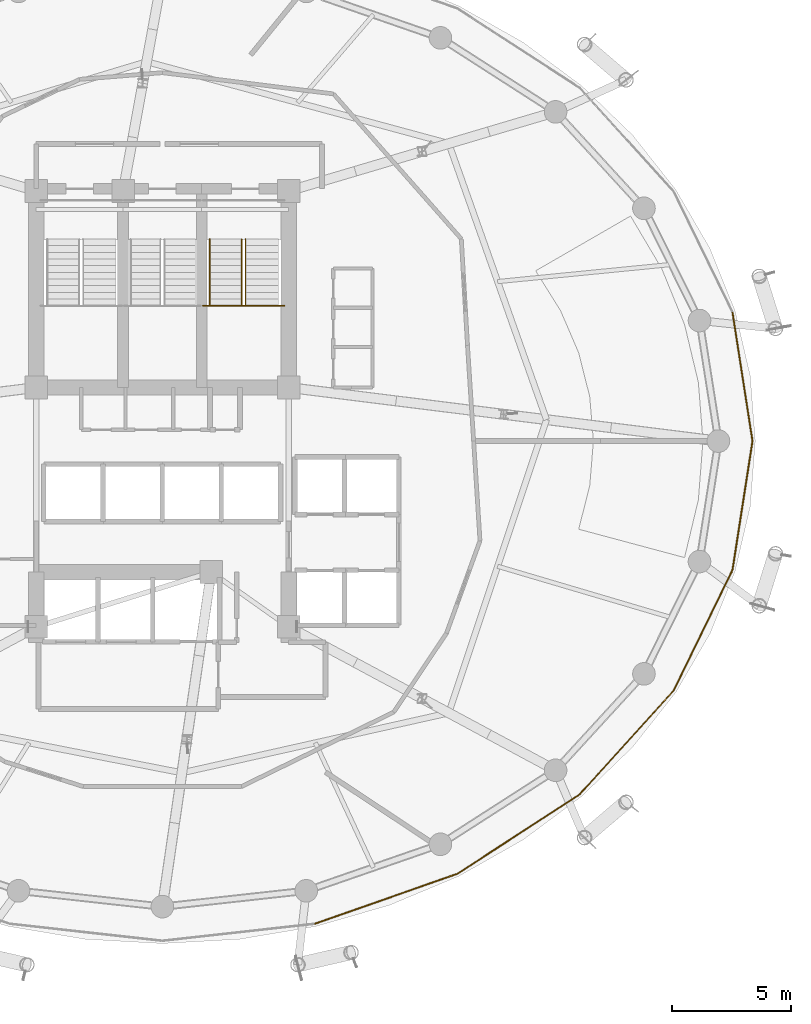
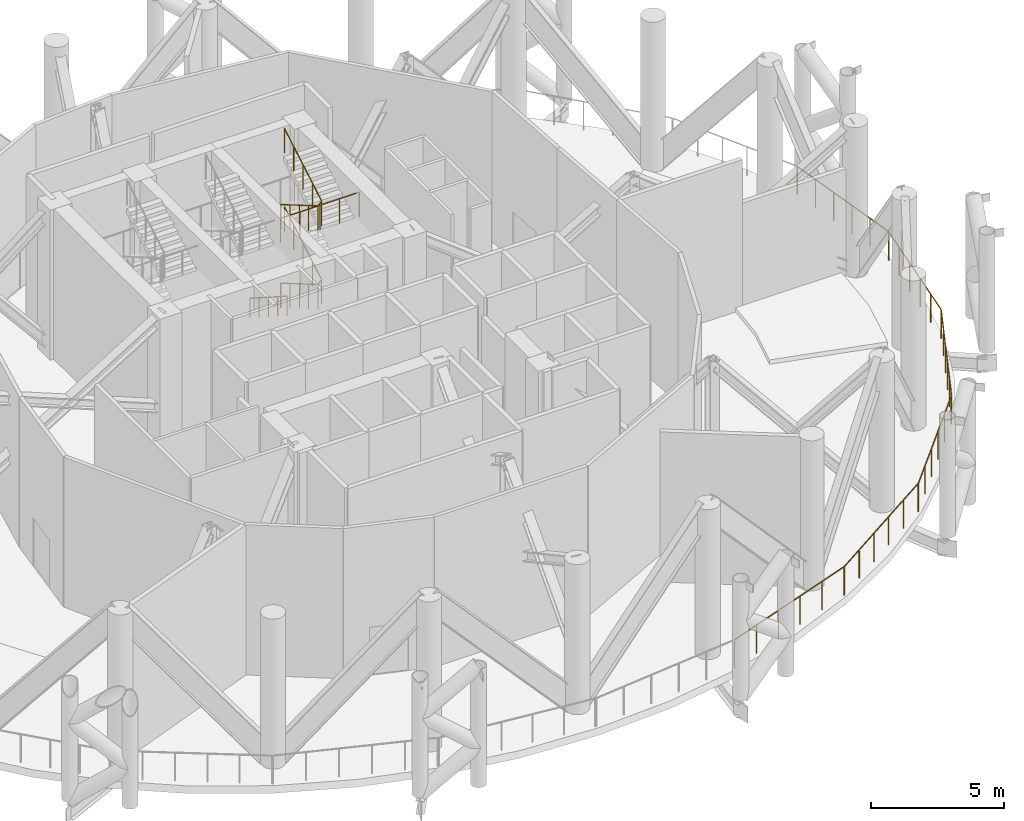
# One storey, part 16 of 18: 10 railings.
"""IFC4 building model written with IfcOpenShell, lengths in metres."""

from ifc_helpers import new_model, si_unit, direction, frame, origin, place, context, subcontext, project, spatial, polyline, outline, extrude, material, type_object, element, save


model = new_model("IFC4")

# Units and contexts
model_context = context("Model", 3, precision=1e-05, world=origin(), true_north=direction((0.0, 1.0)))
body_context = subcontext(model_context, "Body", "Model", "MODEL_VIEW")
ifc_project = project(units=[si_unit("LENGTHUNIT", "METRE"), si_unit("AREAUNIT", "SQUARE_METRE"), si_unit("VOLUMEUNIT", "CUBIC_METRE"), si_unit("PLANEANGLEUNIT", "RADIAN"), si_unit("MASSUNIT", "GRAM", prefix="KILO")], contexts=[model_context])

# Site, building, storey
site_placement = place(None, origin())
site = spatial("IfcSite", under=ifc_project, at=site_placement, CompositionType="ELEMENT")
building_placement = place(site_placement, origin())
building = spatial("IfcBuilding", under=site, at=building_placement, Name="Nuhasar Tower", CompositionType="ELEMENT")
storey_placement = place(building_placement, frame((0.0, 0.0, 195.949951171875)))
storey = spatial("IfcBuildingStorey", under=building, at=storey_placement, Name="L48", CompositionType="ELEMENT", Elevation=195.949951171875)

# Railings
ifc_material_1 = material(Name="Steel S355", Category="steel")
railing_type_1 = type_object("IfcRailingType", Name="RLG-STAIR-GUARD-1150", PredefinedType="GUARDRAIL", material=ifc_material_1)
railing_1_placement = place(storey_placement, frame((42.330078125, 35.284912109375, 0.1640625)))
element("IfcRailing", 1, at=railing_1_placement, inside=storey, type_object=railing_type_1, Name="L48 Stair ST-02 Guardrail SLT1", PredefinedType="GUARDRAIL", context=body_context, shape_type="SweptSolid", body=[
    extrude(outline(polyline([(0.024169921875, 0.0), (0.01708984375, 0.01708984375), (0.0, 0.024169921875), (-0.01708984375, 0.01708984375), (-0.024169921875, 0.0), (-0.01708984375, -0.01708984375), (0.0, -0.024169921875), (0.01708984375, -0.01708984375), (0.024169921875, 0.0)])), frame((0.0, 0.0, 1.1259765625), z_axis=(0.0, -0.863407295559, 0.504507524201), x_axis=(1.0, 0.0, 0.0)), (0.0, 0.0, 1.0), 3.24267578125),
    extrude(outline(polyline([(0.024169921875, 0.0), (0.01708984375, 0.01708984375), (0.0, 0.024169921875), (-0.01708984375, 0.01708984375), (-0.024169921875, 0.0), (-0.01708984375, -0.01708984375), (0.0, -0.024169921875), (0.01708984375, -0.01708984375), (0.024169921875, 0.0)])), frame((0.0, -2.7998046875, 2.76171875), z_axis=(0.697990867133, 0.0, 0.716106660631), x_axis=(0.0, 1.0, 0.0)), (0.0, 0.0, 1.0), 0.22900390625),
    extrude(outline(polyline([(0.024169921875, 0.0), (0.01708984375, 0.01708984375), (0.0, 0.024169921875), (-0.01708984375, 0.01708984375), (-0.024169921875, 0.0), (-0.01708984375, -0.01708984375), (0.0, -0.024169921875), (0.01708984375, -0.01708984375), (0.024169921875, 0.0)])), frame((0.159912109375, -2.7998046875, 2.92578125), z_axis=(0.0, 0.863407295559, 0.504507524201), x_axis=(-1.0, 0.0, 0.0)), (0.0, 0.0, 1.0), 3.24267578125),
    extrude(outline(polyline([(0.02099609375, 0.0), (0.014892578125, 0.014892578125), (0.0, 0.02099609375), (-0.014892578125, 0.014892578125), (-0.02099609375, 0.0), (-0.014892578125, -0.014892578125), (0.0, -0.02099609375), (0.014892578125, -0.014892578125), (0.02099609375, 0.0)])), origin(), (0.0, 0.0, 1.0), 1.101806640625),
    extrude(outline(polyline([(0.02099609375, 0.0), (0.014892578125, 0.014892578125), (0.0, 0.02099609375), (-0.014892578125, 0.014892578125), (-0.02099609375, 0.0), (-0.014892578125, -0.014892578125), (0.0, -0.02099609375), (0.014892578125, -0.014892578125), (0.02099609375, 0.0)])), frame((0.0, -0.699951171875, 0.408935546875)), (0.0, 0.0, 1.0), 1.101806640625),
    extrude(outline(polyline([(0.02099609375, 0.0), (0.014892578125, 0.014892578125), (0.0, 0.02099609375), (-0.014892578125, 0.014892578125), (-0.02099609375, 0.0), (-0.014892578125, -0.014892578125), (0.0, -0.02099609375), (0.014892578125, -0.014892578125), (0.02099609375, 0.0)])), frame((0.0, -1.39990234375, 0.81787109375)), (0.0, 0.0, 1.0), 1.101806640625),
    extrude(outline(polyline([(0.02099609375, 0.0), (0.014892578125, 0.014892578125), (0.0, 0.02099609375), (-0.014892578125, 0.014892578125), (-0.02099609375, 0.0), (-0.014892578125, -0.014892578125), (0.0, -0.02099609375), (0.014892578125, -0.014892578125), (0.02099609375, 0.0)])), frame((0.0, -2.099853515625, 1.22705078125)), (0.0, 0.0, 1.0), 1.101806640625),
    extrude(outline(polyline([(0.02099609375, 0.0), (0.014892578125, 0.014892578125), (0.0, 0.02099609375), (-0.014892578125, 0.014892578125), (-0.02099609375, 0.0), (-0.014892578125, -0.014892578125), (0.0, -0.02099609375), (0.014892578125, -0.014892578125), (0.02099609375, 0.0)])), frame((0.0, -2.7998046875, 1.635986328125)), (0.0, 0.0, 1.0), 1.101806640625),
    extrude(outline(polyline([(0.02099609375, 0.0), (0.014892578125, 0.014892578125), (0.0, 0.02099609375), (-0.014892578125, 0.014892578125), (-0.02099609375, 0.0), (-0.014892578125, -0.014892578125), (0.0, -0.02099609375), (0.014892578125, -0.014892578125), (0.02099609375, 0.0)])), frame((0.159912109375, -2.7998046875, 1.800048828125)), (0.0, 0.0, 1.0), 1.101806640625),
    extrude(outline(polyline([(0.02099609375, 0.0), (0.014892578125, 0.014892578125), (0.0, 0.02099609375), (-0.014892578125, 0.014892578125), (-0.02099609375, 0.0), (-0.014892578125, -0.014892578125), (0.0, -0.02099609375), (0.014892578125, -0.014892578125), (0.02099609375, 0.0)])), frame((0.159912109375, -2.099853515625, 2.208984375)), (0.0, 0.0, 1.0), 1.101806640625),
    extrude(outline(polyline([(0.02099609375, 0.0), (0.014892578125, 0.014892578125), (0.0, 0.02099609375), (-0.014892578125, 0.014892578125), (-0.02099609375, 0.0), (-0.014892578125, -0.014892578125), (0.0, -0.02099609375), (0.014892578125, -0.014892578125), (0.02099609375, 0.0)])), frame((0.159912109375, -1.39990234375, 2.6181640625)), (0.0, 0.0, 1.0), 1.101806640625),
    extrude(outline(polyline([(0.02099609375, 0.0), (0.014892578125, 0.014892578125), (0.0, 0.02099609375), (-0.014892578125, 0.014892578125), (-0.02099609375, 0.0), (-0.014892578125, -0.014892578125), (0.0, -0.02099609375), (0.014892578125, -0.014892578125), (0.02099609375, 0.0)])), frame((0.159912109375, -0.699951171875, 3.027099609375)), (0.0, 0.0, 1.0), 1.101806640625),
    extrude(outline(polyline([(0.02099609375, 0.0), (0.014892578125, 0.014892578125), (0.0, 0.02099609375), (-0.014892578125, 0.014892578125), (-0.02099609375, 0.0), (-0.014892578125, -0.014892578125), (0.0, -0.02099609375), (0.014892578125, -0.014892578125), (0.02099609375, 0.0)])), frame((0.159912109375, 0.0, 3.43603515625)), (0.0, 0.0, 1.0), 1.101806640625),
])
railing_2_placement = place(storey_placement, frame((40.699951171875, 32.485107421875, 5.400146484375)))
element("IfcRailing", 2, at=railing_2_placement, inside=storey, type_object=railing_type_1, Name="L48 Stair ST-02 Guardrail LNDS2", PredefinedType="GUARDRAIL", context=body_context, shape_type="SweptSolid", body=[
    extrude(outline(polyline([(0.024169921875, 0.0), (0.01708984375, 0.01708984375), (0.0, 0.024169921875), (-0.01708984375, 0.01708984375), (-0.024169921875, 0.0), (-0.01708984375, -0.01708984375), (0.0, -0.024169921875), (0.01708984375, -0.01708984375), (0.024169921875, 0.0)])), frame((0.0, 0.0, 1.1259765625), z_axis=(1.0, 0.0, 0.0), x_axis=(0.0, 1.0, 0.0)), (0.0, 0.0, 1.0), 3.420166015625),
    extrude(outline(polyline([(0.02099609375, 0.0), (0.014892578125, 0.014892578125), (0.0, 0.02099609375), (-0.014892578125, 0.014892578125), (-0.02099609375, 0.0), (-0.014892578125, -0.014892578125), (0.0, -0.02099609375), (0.014892578125, -0.014892578125), (0.02099609375, 0.0)])), origin(), (0.0, 0.0, 1.0), 1.101806640625),
    extrude(outline(polyline([(0.02099609375, 0.0), (0.014892578125, 0.014892578125), (0.0, 0.02099609375), (-0.014892578125, 0.014892578125), (-0.02099609375, 0.0), (-0.014892578125, -0.014892578125), (0.0, -0.02099609375), (0.014892578125, -0.014892578125), (0.02099609375, 0.0)])), frame((0.85498046875, 0.0, 0.0)), (0.0, 0.0, 1.0), 1.101806640625),
    extrude(outline(polyline([(0.02099609375, 0.0), (0.014892578125, 0.014892578125), (0.0, 0.02099609375), (-0.014892578125, 0.014892578125), (-0.02099609375, 0.0), (-0.014892578125, -0.014892578125), (0.0, -0.02099609375), (0.014892578125, -0.014892578125), (0.02099609375, 0.0)])), frame((1.7099609375, 0.0, 0.0)), (0.0, 0.0, 1.0), 1.101806640625),
    extrude(outline(polyline([(0.02099609375, 0.0), (0.014892578125, 0.014892578125), (0.0, 0.02099609375), (-0.014892578125, 0.014892578125), (-0.02099609375, 0.0), (-0.014892578125, -0.014892578125), (0.0, -0.02099609375), (0.014892578125, -0.014892578125), (0.02099609375, 0.0)])), frame((2.565185546875, 0.0, 0.0)), (0.0, 0.0, 1.0), 1.101806640625),
    extrude(outline(polyline([(0.02099609375, 0.0), (0.014892578125, 0.014892578125), (0.0, 0.02099609375), (-0.014892578125, 0.014892578125), (-0.02099609375, 0.0), (-0.014892578125, -0.014892578125), (0.0, -0.02099609375), (0.014892578125, -0.014892578125), (0.02099609375, 0.0)])), frame((3.420166015625, 0.0, 0.0)), (0.0, 0.0, 1.0), 1.101806640625),
])
railing_3_placement = place(storey_placement, frame((42.330078125, 35.284912109375, 3.76416015625)))
element("IfcRailing", 3, at=railing_3_placement, inside=storey, type_object=railing_type_1, Name="L48 Stair ST-02 Guardrail SLT2", PredefinedType="GUARDRAIL", context=body_context, shape_type="SweptSolid", body=[
    extrude(outline(polyline([(0.024169921875, 0.0), (0.01708984375, 0.01708984375), (0.0, 0.024169921875), (-0.01708984375, 0.01708984375), (-0.024169921875, 0.0), (-0.01708984375, -0.01708984375), (0.0, -0.024169921875), (0.01708984375, -0.01708984375), (0.024169921875, 0.0)])), frame((0.0, 0.0, 1.1259765625), z_axis=(0.0, -0.863407295559, 0.504507524201), x_axis=(1.0, 0.0, 0.0)), (0.0, 0.0, 1.0), 3.24267578125),
    extrude(outline(polyline([(0.024169921875, 0.0), (0.01708984375, 0.01708984375), (0.0, 0.024169921875), (-0.01708984375, 0.01708984375), (-0.024169921875, 0.0), (-0.01708984375, -0.01708984375), (0.0, -0.024169921875), (0.01708984375, -0.01708984375), (0.024169921875, 0.0)])), frame((0.0, -2.7998046875, 2.76171875), z_axis=(0.69852372298, 0.0, 0.715586897892), x_axis=(0.0, 1.0, 0.0)), (0.0, 0.0, 1.0), 0.22900390625),
    extrude(outline(polyline([(0.024169921875, 0.0), (0.01708984375, 0.01708984375), (0.0, 0.024169921875), (-0.01708984375, 0.01708984375), (-0.024169921875, 0.0), (-0.01708984375, -0.01708984375), (0.0, -0.024169921875), (0.01708984375, -0.01708984375), (0.024169921875, 0.0)])), frame((0.159912109375, -2.7998046875, 2.92578125), z_axis=(0.0, 0.863407295559, 0.504507524201), x_axis=(-1.0, 0.0, 0.0)), (0.0, 0.0, 1.0), 3.24267578125),
    extrude(outline(polyline([(0.02099609375, 0.0), (0.014892578125, 0.014892578125), (0.0, 0.02099609375), (-0.014892578125, 0.014892578125), (-0.02099609375, 0.0), (-0.014892578125, -0.014892578125), (0.0, -0.02099609375), (0.014892578125, -0.014892578125), (0.02099609375, 0.0)])), origin(), (0.0, 0.0, 1.0), 1.101806640625),
    extrude(outline(polyline([(0.02099609375, 0.0), (0.014892578125, 0.014892578125), (0.0, 0.02099609375), (-0.014892578125, 0.014892578125), (-0.02099609375, 0.0), (-0.014892578125, -0.014892578125), (0.0, -0.02099609375), (0.014892578125, -0.014892578125), (0.02099609375, 0.0)])), frame((0.0, -0.699951171875, 0.408935546875)), (0.0, 0.0, 1.0), 1.101806640625),
    extrude(outline(polyline([(0.02099609375, 0.0), (0.014892578125, 0.014892578125), (0.0, 0.02099609375), (-0.014892578125, 0.014892578125), (-0.02099609375, 0.0), (-0.014892578125, -0.014892578125), (0.0, -0.02099609375), (0.014892578125, -0.014892578125), (0.02099609375, 0.0)])), frame((0.0, -1.39990234375, 0.81787109375)), (0.0, 0.0, 1.0), 1.101806640625),
    extrude(outline(polyline([(0.02099609375, 0.0), (0.014892578125, 0.014892578125), (0.0, 0.02099609375), (-0.014892578125, 0.014892578125), (-0.02099609375, 0.0), (-0.014892578125, -0.014892578125), (0.0, -0.02099609375), (0.014892578125, -0.014892578125), (0.02099609375, 0.0)])), frame((0.0, -2.099853515625, 1.22705078125)), (0.0, 0.0, 1.0), 1.101806640625),
    extrude(outline(polyline([(0.02099609375, 0.0), (0.014892578125, 0.014892578125), (0.0, 0.02099609375), (-0.014892578125, 0.014892578125), (-0.02099609375, 0.0), (-0.014892578125, -0.014892578125), (0.0, -0.02099609375), (0.014892578125, -0.014892578125), (0.02099609375, 0.0)])), frame((0.0, -2.7998046875, 1.635986328125)), (0.0, 0.0, 1.0), 1.101806640625),
    extrude(outline(polyline([(0.02099609375, 0.0), (0.014892578125, 0.014892578125), (0.0, 0.02099609375), (-0.014892578125, 0.014892578125), (-0.02099609375, 0.0), (-0.014892578125, -0.014892578125), (0.0, -0.02099609375), (0.014892578125, -0.014892578125), (0.02099609375, 0.0)])), frame((0.159912109375, -2.7998046875, 1.7998046875)), (0.0, 0.0, 1.0), 1.101806640625),
    extrude(outline(polyline([(0.02099609375, 0.0), (0.014892578125, 0.014892578125), (0.0, 0.02099609375), (-0.014892578125, 0.014892578125), (-0.02099609375, 0.0), (-0.014892578125, -0.014892578125), (0.0, -0.02099609375), (0.014892578125, -0.014892578125), (0.02099609375, 0.0)])), frame((0.159912109375, -2.099853515625, 2.208740234375)), (0.0, 0.0, 1.0), 1.101806640625),
    extrude(outline(polyline([(0.02099609375, 0.0), (0.014892578125, 0.014892578125), (0.0, 0.02099609375), (-0.014892578125, 0.014892578125), (-0.02099609375, 0.0), (-0.014892578125, -0.014892578125), (0.0, -0.02099609375), (0.014892578125, -0.014892578125), (0.02099609375, 0.0)])), frame((0.159912109375, -1.39990234375, 2.61767578125)), (0.0, 0.0, 1.0), 1.101806640625),
    extrude(outline(polyline([(0.02099609375, 0.0), (0.014892578125, 0.014892578125), (0.0, 0.02099609375), (-0.014892578125, 0.014892578125), (-0.02099609375, 0.0), (-0.014892578125, -0.014892578125), (0.0, -0.02099609375), (0.014892578125, -0.014892578125), (0.02099609375, 0.0)])), frame((0.159912109375, -0.699951171875, 3.02685546875)), (0.0, 0.0, 1.0), 1.101806640625),
    extrude(outline(polyline([(0.02099609375, 0.0), (0.014892578125, 0.014892578125), (0.0, 0.02099609375), (-0.014892578125, 0.014892578125), (-0.02099609375, 0.0), (-0.014892578125, -0.014892578125), (0.0, -0.02099609375), (0.014892578125, -0.014892578125), (0.02099609375, 0.0)])), frame((0.159912109375, 0.0, 3.435791015625)), (0.0, 0.0, 1.0), 1.101806640625),
])
ifc_material_2 = material(Name="Stainless Steel 316L", Category="steel")
railing_type_2 = type_object("IfcRailingType", Name="RLG-STAIR-HAND-920", PredefinedType="HANDRAIL", material=ifc_material_2)
railing_4_placement = place(storey_placement, frame((40.989990234375, 35.284912109375, 0.1640625)))
element("IfcRailing", 4, at=railing_4_placement, inside=storey, type_object=railing_type_2, Name="L48 Stair ST-02 Handrail HNDA1", PredefinedType="HANDRAIL", context=body_context, shape_type="SweptSolid", body=[
    extrude(outline(polyline([(0.024169921875, 0.0), (0.01708984375, 0.01708984375), (0.0, 0.024169921875), (-0.01708984375, 0.01708984375), (-0.024169921875, 0.0), (-0.01708984375, -0.01708984375), (0.0, -0.024169921875), (0.01708984375, -0.01708984375), (0.024169921875, 0.0)])), frame((0.0, 0.0, 0.89599609375), z_axis=(0.0, -0.841154643086, 0.54079466197), x_axis=(1.0, 0.0, 0.0)), (0.0, 0.0, 1.0), 3.32861328125),
    extrude(outline(polyline([(0.02099609375, 0.0), (0.014892578125, 0.014892578125), (0.0, 0.02099609375), (-0.014892578125, 0.014892578125), (-0.02099609375, 0.0), (-0.014892578125, -0.014892578125), (0.0, -0.02099609375), (0.014892578125, -0.014892578125), (0.02099609375, 0.0)])), origin(), (0.0, 0.0, 1.0), 0.871826171875),
    extrude(outline(polyline([(0.02099609375, 0.0), (0.014892578125, 0.014892578125), (0.0, 0.02099609375), (-0.014892578125, 0.014892578125), (-0.02099609375, 0.0), (-0.014892578125, -0.014892578125), (0.0, -0.02099609375), (0.014892578125, -0.014892578125), (0.02099609375, 0.0)])), frame((0.0, -0.699951171875, 0.449951171875)), (0.0, 0.0, 1.0), 0.871826171875),
    extrude(outline(polyline([(0.02099609375, 0.0), (0.014892578125, 0.014892578125), (0.0, 0.02099609375), (-0.014892578125, 0.014892578125), (-0.02099609375, 0.0), (-0.014892578125, -0.014892578125), (0.0, -0.02099609375), (0.014892578125, -0.014892578125), (0.02099609375, 0.0)])), frame((0.0, -1.39990234375, 0.89990234375)), (0.0, 0.0, 1.0), 0.871826171875),
    extrude(outline(polyline([(0.02099609375, 0.0), (0.014892578125, 0.014892578125), (0.0, 0.02099609375), (-0.014892578125, 0.014892578125), (-0.02099609375, 0.0), (-0.014892578125, -0.014892578125), (0.0, -0.02099609375), (0.014892578125, -0.014892578125), (0.02099609375, 0.0)])), frame((0.0, -2.099853515625, 1.35009765625)), (0.0, 0.0, 1.0), 0.871826171875),
    extrude(outline(polyline([(0.02099609375, 0.0), (0.014892578125, 0.014892578125), (0.0, 0.02099609375), (-0.014892578125, 0.014892578125), (-0.02099609375, 0.0), (-0.014892578125, -0.014892578125), (0.0, -0.02099609375), (0.014892578125, -0.014892578125), (0.02099609375, 0.0)])), frame((0.0, -2.7998046875, 1.800048828125)), (0.0, 0.0, 1.0), 0.871826171875),
])
railing_type_3 = type_object("IfcRailingType", Name="RLG-WIND-1320", PredefinedType="GUARDRAIL", material=ifc_material_2)
railing_5_placement = place(storey_placement, frame((63.780029296875, 26.800048828125, 0.0)))
element("IfcRailing", 5, at=railing_5_placement, inside=storey, type_object=railing_type_3, Name="L48 Open Wind Floor Perimeter Guardrail 01", PredefinedType="GUARDRAIL", context=body_context, shape_type="SweptSolid", body=[
    extrude(outline(polyline([(0.024169921875, 0.0), (0.01708984375, 0.01708984375), (0.0, 0.024169921875), (-0.01708984375, 0.01708984375), (-0.024169921875, 0.0), (-0.01708984375, -0.01708984375), (0.0, -0.024169921875), (0.01708984375, -0.01708984375), (0.024169921875, 0.0)])), frame((0.0, 0.0, 1.2958984375), z_axis=(-0.15365456528, 0.988124625019, 0.0), x_axis=(-0.988124625019, -0.15365456528, 0.0)), (0.0, 0.0, 1.0), 5.45458984375),
    extrude(outline(polyline([(0.02099609375, 0.0), (0.014892578125, 0.014892578125), (0.0, 0.02099609375), (-0.014892578125, 0.014892578125), (-0.02099609375, 0.0), (-0.014892578125, -0.014892578125), (0.0, -0.02099609375), (0.014892578125, -0.014892578125), (0.02099609375, 0.0)])), origin(), (0.0, 0.0, 1.0), 1.27197265625),
    extrude(outline(polyline([(0.02099609375, 0.0), (0.014892578125, 0.014892578125), (0.0, 0.02099609375), (-0.014892578125, 0.014892578125), (-0.02099609375, 0.0), (-0.014892578125, -0.014892578125), (0.0, -0.02099609375), (0.014892578125, -0.014892578125), (0.02099609375, 0.0)])), frame((-0.167724609375, 1.077880859375, 0.0)), (0.0, 0.0, 1.0), 1.27197265625),
    extrude(outline(polyline([(0.02099609375, 0.0), (0.014892578125, 0.014892578125), (0.0, 0.02099609375), (-0.014892578125, 0.014892578125), (-0.02099609375, 0.0), (-0.014892578125, -0.014892578125), (0.0, -0.02099609375), (0.014892578125, -0.014892578125), (0.02099609375, 0.0)])), frame((-0.335205078125, 2.156005859375, 0.0)), (0.0, 0.0, 1.0), 1.27197265625),
    extrude(outline(polyline([(0.02099609375, 0.0), (0.014892578125, 0.014892578125), (0.0, 0.02099609375), (-0.014892578125, 0.014892578125), (-0.02099609375, 0.0), (-0.014892578125, -0.014892578125), (0.0, -0.02099609375), (0.014892578125, -0.014892578125), (0.02099609375, 0.0)])), frame((-0.5029296875, 3.23388671875, 0.0)), (0.0, 0.0, 1.0), 1.27197265625),
    extrude(outline(polyline([(0.02099609375, 0.0), (0.014892578125, 0.014892578125), (0.0, 0.02099609375), (-0.014892578125, 0.014892578125), (-0.02099609375, 0.0), (-0.014892578125, -0.014892578125), (0.0, -0.02099609375), (0.014892578125, -0.014892578125), (0.02099609375, 0.0)])), frame((-0.67041015625, 4.31201171875, 0.0)), (0.0, 0.0, 1.0), 1.27197265625),
    extrude(outline(polyline([(0.02099609375, 0.0), (0.014892578125, 0.014892578125), (0.0, 0.02099609375), (-0.014892578125, 0.014892578125), (-0.02099609375, 0.0), (-0.014892578125, -0.014892578125), (0.0, -0.02099609375), (0.014892578125, -0.014892578125), (0.02099609375, 0.0)])), frame((-0.838134765625, 5.389892578125, 0.0)), (0.0, 0.0, 1.0), 1.27197265625),
])
railing_6_placement = place(storey_placement, frame((45.4140625, 6.534912109375, 0.0)))
element("IfcRailing", 6, at=railing_6_placement, inside=storey, type_object=railing_type_3, Name="L48 Open Wind Floor Perimeter Guardrail 20", PredefinedType="GUARDRAIL", context=body_context, shape_type="SweptSolid", body=[
    extrude(outline(polyline([(0.024169921875, 0.0), (0.01708984375, 0.01708984375), (0.0, 0.024169921875), (-0.01708984375, 0.01708984375), (-0.024169921875, 0.0), (-0.01708984375, -0.01708984375), (0.0, -0.024169921875), (0.01708984375, -0.01708984375), (0.024169921875, 0.0)])), frame((0.0, 0.0, 1.2958984375), z_axis=(0.943624646388, 0.33101741152, 0.0), x_axis=(-0.33101741152, 0.943624646388, 0.0)), (0.0, 0.0, 1.0), 6.292724609375),
    extrude(outline(polyline([(0.02099609375, 0.0), (0.014892578125, 0.014892578125), (0.0, 0.02099609375), (-0.014892578125, 0.014892578125), (-0.02099609375, 0.0), (-0.014892578125, -0.014892578125), (0.0, -0.02099609375), (0.014892578125, -0.014892578125), (0.02099609375, 0.0)])), origin(), (0.0, 0.0, 1.0), 1.27197265625),
    extrude(outline(polyline([(0.02099609375, 0.0), (0.014892578125, 0.014892578125), (0.0, 0.02099609375), (-0.014892578125, 0.014892578125), (-0.02099609375, 0.0), (-0.014892578125, -0.014892578125), (0.0, -0.02099609375), (0.014892578125, -0.014892578125), (0.02099609375, 0.0)])), frame((1.1875, 0.41650390625, 0.0)), (0.0, 0.0, 1.0), 1.27197265625),
    extrude(outline(polyline([(0.02099609375, 0.0), (0.014892578125, 0.014892578125), (0.0, 0.02099609375), (-0.014892578125, 0.014892578125), (-0.02099609375, 0.0), (-0.014892578125, -0.014892578125), (0.0, -0.02099609375), (0.014892578125, -0.014892578125), (0.02099609375, 0.0)])), frame((2.375244140625, 0.833251953125, 0.0)), (0.0, 0.0, 1.0), 1.27197265625),
    extrude(outline(polyline([(0.02099609375, 0.0), (0.014892578125, 0.014892578125), (0.0, 0.02099609375), (-0.014892578125, 0.014892578125), (-0.02099609375, 0.0), (-0.014892578125, -0.014892578125), (0.0, -0.02099609375), (0.014892578125, -0.014892578125), (0.02099609375, 0.0)])), frame((3.562744140625, 1.249755859375, 0.0)), (0.0, 0.0, 1.0), 1.27197265625),
    extrude(outline(polyline([(0.02099609375, 0.0), (0.014892578125, 0.014892578125), (0.0, 0.02099609375), (-0.014892578125, 0.014892578125), (-0.02099609375, 0.0), (-0.014892578125, -0.014892578125), (0.0, -0.02099609375), (0.014892578125, -0.014892578125), (0.02099609375, 0.0)])), frame((4.75048828125, 1.66650390625, 0.0)), (0.0, 0.0, 1.0), 1.27197265625),
    extrude(outline(polyline([(0.02099609375, 0.0), (0.014892578125, 0.014892578125), (0.0, 0.02099609375), (-0.014892578125, 0.014892578125), (-0.02099609375, 0.0), (-0.014892578125, -0.014892578125), (0.0, -0.02099609375), (0.014892578125, -0.014892578125), (0.02099609375, 0.0)])), frame((5.93798828125, 2.0830078125, 0.0)), (0.0, 0.0, 1.0), 1.27197265625),
])
railing_7_placement = place(storey_placement, frame((51.389892578125, 8.631103515625, 0.0)))
element("IfcRailing", 7, at=railing_7_placement, inside=storey, type_object=railing_type_3, Name="L48 Open Wind Floor Perimeter Guardrail 21", PredefinedType="GUARDRAIL", context=body_context, shape_type="SweptSolid", body=[
    extrude(outline(polyline([(0.024169921875, 0.0), (0.01708984375, 0.01708984375), (0.0, 0.024169921875), (-0.01708984375, 0.01708984375), (-0.024169921875, 0.0), (-0.01708984375, -0.01708984375), (0.0, -0.024169921875), (0.01708984375, -0.01708984375), (0.024169921875, 0.0)])), frame((0.0, 0.0, 1.2958984375), z_axis=(0.838577544786, 0.544782251344, 0.0), x_axis=(-0.544782251344, 0.838577544786, 0.0)), (0.0, 0.0, 1.0), 6.07958984375),
    extrude(outline(polyline([(0.02099609375, 0.0), (0.014892578125, 0.014892578125), (0.0, 0.02099609375), (-0.014892578125, 0.014892578125), (-0.02099609375, 0.0), (-0.014892578125, -0.014892578125), (0.0, -0.02099609375), (0.014892578125, -0.014892578125), (0.02099609375, 0.0)])), origin(), (0.0, 0.0, 1.0), 1.27197265625),
    extrude(outline(polyline([(0.02099609375, 0.0), (0.014892578125, 0.014892578125), (0.0, 0.02099609375), (-0.014892578125, 0.014892578125), (-0.02099609375, 0.0), (-0.014892578125, -0.014892578125), (0.0, -0.02099609375), (0.014892578125, -0.014892578125), (0.02099609375, 0.0)])), frame((1.01953125, 0.662353515625, 0.0)), (0.0, 0.0, 1.0), 1.27197265625),
    extrude(outline(polyline([(0.02099609375, 0.0), (0.014892578125, 0.014892578125), (0.0, 0.02099609375), (-0.014892578125, 0.014892578125), (-0.02099609375, 0.0), (-0.014892578125, -0.014892578125), (0.0, -0.02099609375), (0.014892578125, -0.014892578125), (0.02099609375, 0.0)])), frame((2.039306640625, 1.32470703125, 0.0)), (0.0, 0.0, 1.0), 1.27197265625),
    extrude(outline(polyline([(0.02099609375, 0.0), (0.014892578125, 0.014892578125), (0.0, 0.02099609375), (-0.014892578125, 0.014892578125), (-0.02099609375, 0.0), (-0.014892578125, -0.014892578125), (0.0, -0.02099609375), (0.014892578125, -0.014892578125), (0.02099609375, 0.0)])), frame((3.058837890625, 1.9873046875, 0.0)), (0.0, 0.0, 1.0), 1.27197265625),
    extrude(outline(polyline([(0.02099609375, 0.0), (0.014892578125, 0.014892578125), (0.0, 0.02099609375), (-0.014892578125, 0.014892578125), (-0.02099609375, 0.0), (-0.014892578125, -0.014892578125), (0.0, -0.02099609375), (0.014892578125, -0.014892578125), (0.02099609375, 0.0)])), frame((4.07861328125, 2.649658203125, 0.0)), (0.0, 0.0, 1.0), 1.27197265625),
    extrude(outline(polyline([(0.02099609375, 0.0), (0.014892578125, 0.014892578125), (0.0, 0.02099609375), (-0.014892578125, 0.014892578125), (-0.02099609375, 0.0), (-0.014892578125, -0.014892578125), (0.0, -0.02099609375), (0.014892578125, -0.014892578125), (0.02099609375, 0.0)])), frame((5.09814453125, 3.31201171875, 0.0)), (0.0, 0.0, 1.0), 1.27197265625),
])
railing_8_placement = place(storey_placement, frame((56.52197265625, 11.965087890625, 0.0)))
element("IfcRailing", 8, at=railing_8_placement, inside=storey, type_object=railing_type_3, Name="L48 Open Wind Floor Perimeter Guardrail 22", PredefinedType="GUARDRAIL", context=body_context, shape_type="SweptSolid", body=[
    extrude(outline(polyline([(0.024169921875, 0.0), (0.01708984375, 0.01708984375), (0.0, 0.024169921875), (-0.01708984375, 0.01708984375), (-0.024169921875, 0.0), (-0.01708984375, -0.01708984375), (0.0, -0.024169921875), (0.01708984375, -0.01708984375), (0.024169921875, 0.0)])), frame((0.0, 0.0, 1.2958984375), z_axis=(0.671587036279, 0.740925672859, 0.0), x_axis=(-0.740925672859, 0.671587036279, 0.0)), (0.0, 0.0, 1.0), 5.82373046875),
    extrude(outline(polyline([(0.02099609375, 0.0), (0.014892578125, 0.014892578125), (0.0, 0.02099609375), (-0.014892578125, 0.014892578125), (-0.02099609375, 0.0), (-0.014892578125, -0.014892578125), (0.0, -0.02099609375), (0.014892578125, -0.014892578125), (0.02099609375, 0.0)])), origin(), (0.0, 0.0, 1.0), 1.27197265625),
    extrude(outline(polyline([(0.02099609375, 0.0), (0.014892578125, 0.014892578125), (0.0, 0.02099609375), (-0.014892578125, 0.014892578125), (-0.02099609375, 0.0), (-0.014892578125, -0.014892578125), (0.0, -0.02099609375), (0.014892578125, -0.014892578125), (0.02099609375, 0.0)])), frame((0.7822265625, 0.863037109375, 0.0)), (0.0, 0.0, 1.0), 1.27197265625),
    extrude(outline(polyline([(0.02099609375, 0.0), (0.014892578125, 0.014892578125), (0.0, 0.02099609375), (-0.014892578125, 0.014892578125), (-0.02099609375, 0.0), (-0.014892578125, -0.014892578125), (0.0, -0.02099609375), (0.014892578125, -0.014892578125), (0.02099609375, 0.0)])), frame((1.564453125, 1.72607421875, 0.0)), (0.0, 0.0, 1.0), 1.27197265625),
    extrude(outline(polyline([(0.02099609375, 0.0), (0.014892578125, 0.014892578125), (0.0, 0.02099609375), (-0.014892578125, 0.014892578125), (-0.02099609375, 0.0), (-0.014892578125, -0.014892578125), (0.0, -0.02099609375), (0.014892578125, -0.014892578125), (0.02099609375, 0.0)])), frame((2.3466796875, 2.5888671875, 0.0)), (0.0, 0.0, 1.0), 1.27197265625),
    extrude(outline(polyline([(0.02099609375, 0.0), (0.014892578125, 0.014892578125), (0.0, 0.02099609375), (-0.014892578125, 0.014892578125), (-0.02099609375, 0.0), (-0.014892578125, -0.014892578125), (0.0, -0.02099609375), (0.014892578125, -0.014892578125), (0.02099609375, 0.0)])), frame((3.12890625, 3.451904296875, 0.0)), (0.0, 0.0, 1.0), 1.27197265625),
    extrude(outline(polyline([(0.02099609375, 0.0), (0.014892578125, 0.014892578125), (0.0, 0.02099609375), (-0.014892578125, 0.014892578125), (-0.02099609375, 0.0), (-0.014892578125, -0.014892578125), (0.0, -0.02099609375), (0.014892578125, -0.014892578125), (0.02099609375, 0.0)])), frame((3.9111328125, 4.31494140625, 0.0)), (0.0, 0.0, 1.0), 1.27197265625),
])
railing_9_placement = place(storey_placement, frame((60.4599609375, 16.31005859375, 0.0)))
element("IfcRailing", 9, at=railing_9_placement, inside=storey, type_object=railing_type_3, Name="L48 Open Wind Floor Perimeter Guardrail 23", PredefinedType="GUARDRAIL", context=body_context, shape_type="SweptSolid", body=[
    extrude(outline(polyline([(0.024169921875, 0.0), (0.01708984375, 0.01708984375), (0.0, 0.024169921875), (-0.01708984375, 0.01708984375), (-0.024169921875, 0.0), (-0.01708984375, -0.01708984375), (0.0, -0.024169921875), (0.01708984375, -0.01708984375), (0.024169921875, 0.0)])), frame((0.0, 0.0, 1.2958984375), z_axis=(0.439479430431, 0.898252653894, 0.0), x_axis=(-0.898252653894, 0.439479430431, 0.0)), (0.0, 0.0, 1.0), 5.593017578125),
    extrude(outline(polyline([(0.02099609375, 0.0), (0.014892578125, 0.014892578125), (0.0, 0.02099609375), (-0.014892578125, 0.014892578125), (-0.02099609375, 0.0), (-0.014892578125, -0.014892578125), (0.0, -0.02099609375), (0.014892578125, -0.014892578125), (0.02099609375, 0.0)])), origin(), (0.0, 0.0, 1.0), 1.27197265625),
    extrude(outline(polyline([(0.02099609375, 0.0), (0.014892578125, 0.014892578125), (0.0, 0.02099609375), (-0.014892578125, 0.014892578125), (-0.02099609375, 0.0), (-0.014892578125, -0.014892578125), (0.0, -0.02099609375), (0.014892578125, -0.014892578125), (0.02099609375, 0.0)])), frame((0.49169921875, 1.0048828125, 0.0)), (0.0, 0.0, 1.0), 1.27197265625),
    extrude(outline(polyline([(0.02099609375, 0.0), (0.014892578125, 0.014892578125), (0.0, 0.02099609375), (-0.014892578125, 0.014892578125), (-0.02099609375, 0.0), (-0.014892578125, -0.014892578125), (0.0, -0.02099609375), (0.014892578125, -0.014892578125), (0.02099609375, 0.0)])), frame((0.983154296875, 2.009521484375, 0.0)), (0.0, 0.0, 1.0), 1.27197265625),
    extrude(outline(polyline([(0.02099609375, 0.0), (0.014892578125, 0.014892578125), (0.0, 0.02099609375), (-0.014892578125, 0.014892578125), (-0.02099609375, 0.0), (-0.014892578125, -0.014892578125), (0.0, -0.02099609375), (0.014892578125, -0.014892578125), (0.02099609375, 0.0)])), frame((1.474853515625, 3.014404296875, 0.0)), (0.0, 0.0, 1.0), 1.27197265625),
    extrude(outline(polyline([(0.02099609375, 0.0), (0.014892578125, 0.014892578125), (0.0, 0.02099609375), (-0.014892578125, 0.014892578125), (-0.02099609375, 0.0), (-0.014892578125, -0.014892578125), (0.0, -0.02099609375), (0.014892578125, -0.014892578125), (0.02099609375, 0.0)])), frame((1.96630859375, 4.01904296875, 0.0)), (0.0, 0.0, 1.0), 1.27197265625),
    extrude(outline(polyline([(0.02099609375, 0.0), (0.014892578125, 0.014892578125), (0.0, 0.02099609375), (-0.014892578125, 0.014892578125), (-0.02099609375, 0.0), (-0.014892578125, -0.014892578125), (0.0, -0.02099609375), (0.014892578125, -0.014892578125), (0.02099609375, 0.0)])), frame((2.4580078125, 5.02392578125, 0.0)), (0.0, 0.0, 1.0), 1.27197265625),
])
railing_10_placement = place(storey_placement, frame((62.93603515625, 21.3701171875, 0.0)))
element("IfcRailing", 10, at=railing_10_placement, inside=storey, type_object=railing_type_3, Name="L48 Open Wind Floor Perimeter Guardrail 24", PredefinedType="GUARDRAIL", context=body_context, shape_type="SweptSolid", body=[
    extrude(outline(polyline([(0.024169921875, 0.0), (0.01708984375, 0.01708984375), (0.0, 0.024169921875), (-0.01708984375, 0.01708984375), (-0.024169921875, 0.0), (-0.01708984375, -0.01708984375), (0.0, -0.024169921875), (0.01708984375, -0.01708984375), (0.024169921875, 0.0)])), frame((0.0, 0.0, 1.2958984375), z_axis=(0.153610863454, 0.988131419716, 0.0), x_axis=(-0.988131419716, 0.153610863454, 0.0)), (0.0, 0.0, 1.0), 5.45458984375),
    extrude(outline(polyline([(0.02099609375, 0.0), (0.014892578125, 0.014892578125), (0.0, 0.02099609375), (-0.014892578125, 0.014892578125), (-0.02099609375, 0.0), (-0.014892578125, -0.014892578125), (0.0, -0.02099609375), (0.014892578125, -0.014892578125), (0.02099609375, 0.0)])), origin(), (0.0, 0.0, 1.0), 1.27197265625),
    extrude(outline(polyline([(0.02099609375, 0.0), (0.014892578125, 0.014892578125), (0.0, 0.02099609375), (-0.014892578125, 0.014892578125), (-0.02099609375, 0.0), (-0.014892578125, -0.014892578125), (0.0, -0.02099609375), (0.014892578125, -0.014892578125), (0.02099609375, 0.0)])), frame((0.16748046875, 1.077880859375, 0.0)), (0.0, 0.0, 1.0), 1.27197265625),
    extrude(outline(polyline([(0.02099609375, 0.0), (0.014892578125, 0.014892578125), (0.0, 0.02099609375), (-0.014892578125, 0.014892578125), (-0.02099609375, 0.0), (-0.014892578125, -0.014892578125), (0.0, -0.02099609375), (0.014892578125, -0.014892578125), (0.02099609375, 0.0)])), frame((0.335205078125, 2.156005859375, 0.0)), (0.0, 0.0, 1.0), 1.27197265625),
    extrude(outline(polyline([(0.02099609375, 0.0), (0.014892578125, 0.014892578125), (0.0, 0.02099609375), (-0.014892578125, 0.014892578125), (-0.02099609375, 0.0), (-0.014892578125, -0.014892578125), (0.0, -0.02099609375), (0.014892578125, -0.014892578125), (0.02099609375, 0.0)])), frame((0.502685546875, 3.23388671875, 0.0)), (0.0, 0.0, 1.0), 1.27197265625),
    extrude(outline(polyline([(0.02099609375, 0.0), (0.014892578125, 0.014892578125), (0.0, 0.02099609375), (-0.014892578125, 0.014892578125), (-0.02099609375, 0.0), (-0.014892578125, -0.014892578125), (0.0, -0.02099609375), (0.014892578125, -0.014892578125), (0.02099609375, 0.0)])), frame((0.67041015625, 4.31201171875, 0.0)), (0.0, 0.0, 1.0), 1.27197265625),
    extrude(outline(polyline([(0.02099609375, 0.0), (0.014892578125, 0.014892578125), (0.0, 0.02099609375), (-0.014892578125, 0.014892578125), (-0.02099609375, 0.0), (-0.014892578125, -0.014892578125), (0.0, -0.02099609375), (0.014892578125, -0.014892578125), (0.02099609375, 0.0)])), frame((0.837890625, 5.389892578125, 0.0)), (0.0, 0.0, 1.0), 1.27197265625),
])

save(model, "model.ifc")
